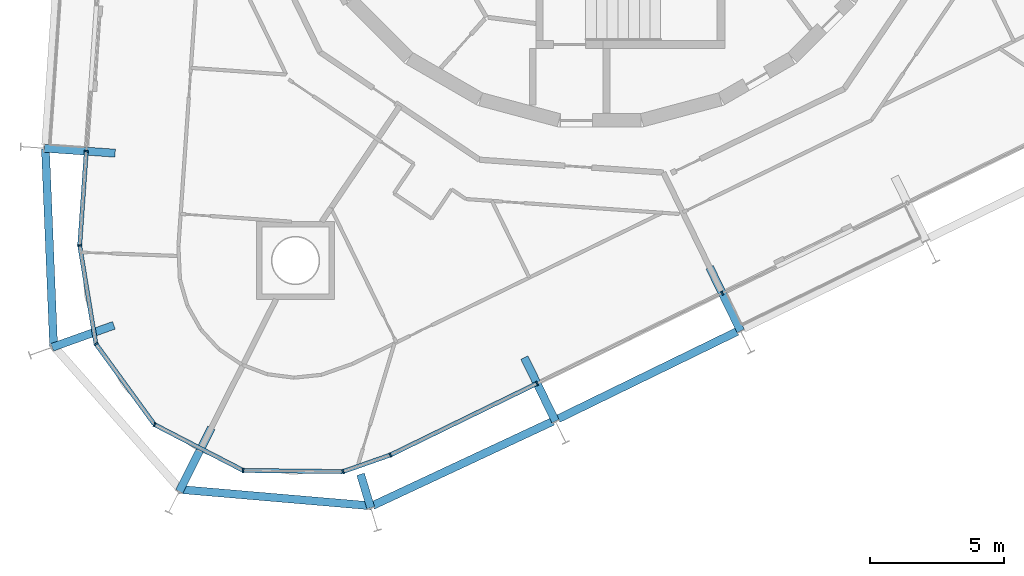
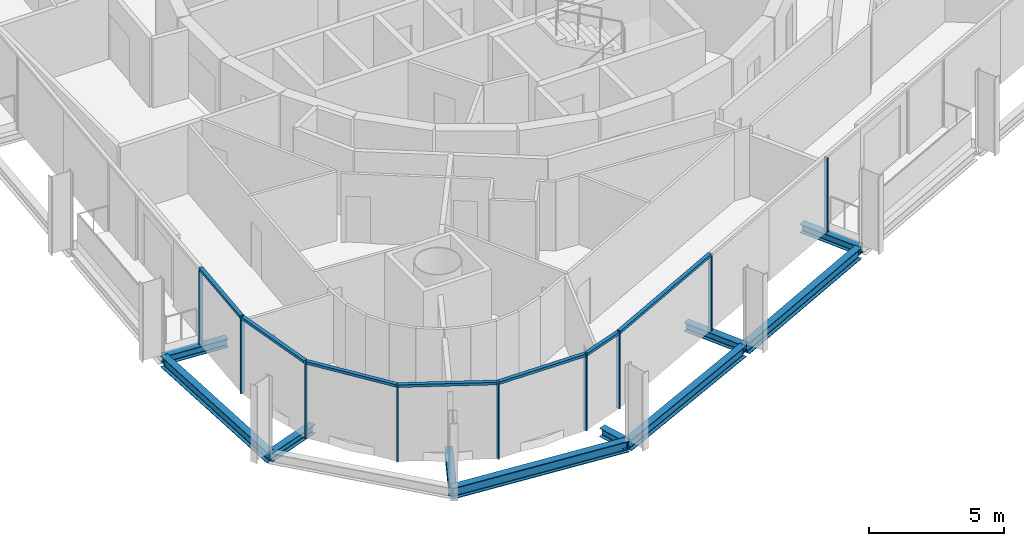
# One storey, part 2 of 18: 16 members, 10 beams, 2 elements without a shape of their own.
"""IFC4 building model written with IfcOpenShell, lengths in metres."""

from ifc_helpers import new_model, si_unit, direction, frame, origin, origin_2d, place, context, subcontext, project, spatial, rectangle, i_section, extrude, material, layer, layer_set, material_profile, profile_set, type_object, element, aggregate, save


model = new_model("IFC4")

# Units and contexts
model_context = context("Model", 3, precision=1e-05, world=origin(), true_north=direction((0.0, 1.0)))
body_context = subcontext(model_context, "Body", "Model", "MODEL_VIEW")
ifc_project = project(units=[si_unit("LENGTHUNIT", "METRE"), si_unit("AREAUNIT", "SQUARE_METRE"), si_unit("VOLUMEUNIT", "CUBIC_METRE"), si_unit("PLANEANGLEUNIT", "RADIAN"), si_unit("MASSUNIT", "GRAM", prefix="KILO")], contexts=[model_context])

# Site, building, storey
site_placement = place(None, origin())
site = spatial("IfcSite", under=ifc_project, at=site_placement, CompositionType="ELEMENT")
building_placement = place(site_placement, origin())
building = spatial("IfcBuilding", under=site, at=building_placement, Name="Spindle Arch Residences", CompositionType="ELEMENT")
storey_placement = place(building_placement, frame((0.0, 0.0, 205.89990234375)))
storey = spatial("IfcBuildingStorey", under=building, at=storey_placement, Name="L52", CompositionType="ELEMENT", Elevation=205.89990234375)

# Curtain wall, members
ifc_material_1 = material(Name="Aluminium bronze unitised frame with tinted glass", Category="aluminium")
ifc_layer_1 = layer(ifc_material_1, 0.159912109375)
ifc_layer_set_1 = layer_set([ifc_layer_1], Name="CW-D corner wall on the fillet arcs")
curtain_wall_type_1 = type_object("IfcCurtainWallType", Name="CW-D corner wall on the fillet arcs", PredefinedType="NOTDEFINED", material=ifc_layer_set_1)
curtain_wall_1_placement = place(storey_placement, origin())
curtain_wall_1 = element("IfcCurtainWall", 1, at=curtain_wall_1_placement, inside=storey, type_object=curtain_wall_type_1, Name="CW-D L52 run 5", PredefinedType="NOTDEFINED")
ifc_material_2 = material(Name="Aluminium bronze anodised mullion", Category="aluminium")
ifc_material_profile_1 = material_profile(ifc_material_2, rectangle(XDim=0.159912109375, YDim=0.06005859375, at=origin_2d()), Name="MU 60x160")
ifc_profile_set_1 = profile_set([ifc_material_profile_1], Name="Aluminium bronze anodised mullion")
member_type_1 = type_object("IfcMemberType", Name="Bronze mullion 60x160", PredefinedType="MULLION", material=ifc_profile_set_1)
member_1_placement = place(storey_placement, frame((-19.2001953125, -12.796875, -0.3798828125), z_axis=(0.0, 0.0, 1.0), x_axis=(0.99756405026, -0.069756473744, 0.0)))
member_1 = element("IfcMember", 2, at=member_1_placement, type_object=member_type_1, Name="CW-D mullion 00", PredefinedType="MULLION", context=body_context, shape_type="SweptSolid", body=[
    extrude(rectangle(XDim=0.159912109375, YDim=0.06005859375, at=origin_2d()), origin(), (0.0, 0.0, 1.0), 3.3798828125),
])
member_2_placement = place(storey_placement, frame((-19.4462890625, -16.31689453125, -0.3798828125), z_axis=(0.0, 0.0, 1.0), x_axis=(0.986761531666, 0.162177925821, 0.0)))
member_2 = element("IfcMember", 3, at=member_2_placement, type_object=member_type_1, Name="CW-D mullion 01", PredefinedType="MULLION", context=body_context, shape_type="SweptSolid", body=[
    extrude(rectangle(XDim=0.159912109375, YDim=0.06005859375, at=origin_2d()), origin(), (0.0, 0.0, 1.0), 3.3798828125),
])
member_3_placement = place(storey_placement, frame((-18.842041015625, -19.994140625, -0.3798828125), z_axis=(0.0, 0.0, 1.0), x_axis=(0.809016992641, 0.587785254679, 0.0)))
member_3 = element("IfcMember", 4, at=member_3_placement, type_object=member_type_1, Name="CW-D mullion 02", PredefinedType="MULLION", context=body_context, shape_type="SweptSolid", body=[
    extrude(rectangle(XDim=0.159912109375, YDim=0.06005859375, at=origin_2d()), origin(), (0.0, 0.0, 1.0), 3.3798828125),
])
member_4_placement = place(storey_placement, frame((-16.6513671875, -23.00927734375, -0.3798828125), z_axis=(0.0, 0.0, 1.0), x_axis=(0.459166453025, 0.88835025098, 0.0)))
member_4 = element("IfcMember", 5, at=member_4_placement, type_object=member_type_1, Name="CW-D mullion 03", PredefinedType="MULLION", context=body_context, shape_type="SweptSolid", body=[
    extrude(rectangle(XDim=0.159912109375, YDim=0.06005859375, at=origin_2d()), origin(), (0.0, 0.0, 1.0), 3.3798828125),
])
member_5_placement = place(storey_placement, frame((-13.3408203125, -24.720458984375, -0.3798828125), z_axis=(0.0, 0.0, 1.0), x_axis=(0.011635263346, 0.999932308032, 0.0)))
member_5 = element("IfcMember", 6, at=member_5_placement, type_object=member_type_1, Name="CW-D mullion 04", PredefinedType="MULLION", context=body_context, shape_type="SweptSolid", body=[
    extrude(rectangle(XDim=0.159912109375, YDim=0.06005859375, at=origin_2d()), origin(), (0.0, 0.0, 1.0), 3.3798828125),
])
member_6_placement = place(storey_placement, frame((-9.6142578125, -24.763916015625, -0.3798828125), z_axis=(0.0, 0.0, 1.0), x_axis=(-0.33106342198, 0.943608504957, 0.0)))
member_6 = element("IfcMember", 7, at=member_6_placement, type_object=member_type_1, Name="CW-D mullion 05", PredefinedType="MULLION", context=body_context, shape_type="SweptSolid", body=[
    extrude(rectangle(XDim=0.159912109375, YDim=0.06005859375, at=origin_2d()), origin(), (0.0, 0.0, 1.0), 3.3798828125),
])
member_7_placement = place(storey_placement, frame((-7.843994140625, -24.142822265625, -0.3798828125), z_axis=(0.0, 0.0, 1.0), x_axis=(-0.438371146789, 0.898794046299, 0.0)))
member_7 = element("IfcMember", 8, at=member_7_placement, type_object=member_type_1, Name="CW-D mullion 06", PredefinedType="MULLION", context=body_context, shape_type="SweptSolid", body=[
    extrude(rectangle(XDim=0.159912109375, YDim=0.06005859375, at=origin_2d()), origin(), (0.0, 0.0, 1.0), 3.3798828125),
])

ifc_material_3 = material(Name="Aluminium bronze unitised frame with tinted glass", Category="aluminium")
ifc_layer_2 = layer(ifc_material_3, 0.159912109375)
ifc_layer_set_2 = layer_set([ifc_layer_2], Name="CW-C typical residential unitised wall")
curtain_wall_type_2 = type_object("IfcCurtainWallType", Name="CW-C typical residential unitised wall", PredefinedType="NOTDEFINED", material=ifc_layer_set_2)
curtain_wall_2_placement = place(storey_placement, origin())
curtain_wall_2 = element("IfcCurtainWall", 9, at=curtain_wall_2_placement, inside=storey, type_object=curtain_wall_type_2, Name="CW-C L52 run 6", PredefinedType="NOTDEFINED")
member_8_placement = place(storey_placement, frame((-2.36767578125, -21.4716796875, -0.3798828125), z_axis=(0.0, 0.0, 1.0), x_axis=(-0.438371146789, 0.898794046299, 0.0)))
member_8 = element("IfcMember", 10, at=member_8_placement, type_object=member_type_1, Name="CW-C mullion 20", PredefinedType="MULLION", context=body_context, shape_type="SweptSolid", body=[
    extrude(rectangle(XDim=0.159912109375, YDim=0.06005859375, at=origin_2d()), origin(), (0.0, 0.0, 1.0), 3.3798828125),
])
member_9_placement = place(storey_placement, frame((4.54736328125, -18.09912109375, -0.3798828125), z_axis=(0.0, 0.0, 1.0), x_axis=(-0.438371146789, 0.898794046299, 0.0)))
member_9 = element("IfcMember", 11, at=member_9_placement, type_object=member_type_1, Name="CW-C mullion 21", PredefinedType="MULLION", context=body_context, shape_type="SweptSolid", body=[
    extrude(rectangle(XDim=0.159912109375, YDim=0.06005859375, at=origin_2d()), origin(), (0.0, 0.0, 1.0), 3.3798828125),
])
aggregate(curtain_wall_2, [member_8, member_9])

# Member
ifc_material_4 = material(Name="Aluminium bronze anodised transom", Category="aluminium")
ifc_material_profile_2 = material_profile(ifc_material_4, rectangle(XDim=0.159912109375, YDim=0.1201171875, at=origin_2d()), Name="TR 120x160")
ifc_profile_set_2 = profile_set([ifc_material_profile_2], Name="Aluminium bronze anodised transom")
member_type_2 = type_object("IfcMemberType", Name="Bronze transom 120x160", PredefinedType="USERDEFINED", material=ifc_profile_set_2)
member_10_placement = place(storey_placement, frame((-19.202392578125, -12.826904296875, 3.06005859375), z_axis=(-0.069756279092, -0.997564063871, 0.0), x_axis=(0.997564063871, -0.069756279092, 0.0)))
member_10 = element("IfcMember", 12, at=member_10_placement, type_object=member_type_2, Name="CW-D transom 00", ObjectType="TRANSOM", PredefinedType="USERDEFINED", context=body_context, shape_type="SweptSolid", body=[
    extrude(rectangle(XDim=0.159912109375, YDim=0.1201171875, at=origin_2d()), origin(), (0.0, 0.0, 1.0), 3.468505859375),
])

member_11_placement = place(storey_placement, frame((-19.44140625, -16.346435546875, 3.06005859375), z_axis=(0.162131110814, -0.986769224746, 0.0), x_axis=(0.986769224746, 0.162131110814, 0.0)))
member_11 = element("IfcMember", 13, at=member_11_placement, type_object=member_type_2, Name="CW-D transom 01", ObjectType="TRANSOM", PredefinedType="USERDEFINED", context=body_context, shape_type="SweptSolid", body=[
    extrude(rectangle(XDim=0.159912109375, YDim=0.1201171875, at=origin_2d()), origin(), (0.0, 0.0, 1.0), 3.666748046875),
])

member_12_placement = place(storey_placement, frame((-18.82421875, -20.0185546875, 3.06005859375), z_axis=(0.587807403161, -0.809000900363, 0.0), x_axis=(0.809000900363, 0.587807403161, 0.0)))
member_12 = element("IfcMember", 14, at=member_12_placement, type_object=member_type_2, Name="CW-D transom 02", ObjectType="TRANSOM", PredefinedType="USERDEFINED", context=body_context, shape_type="SweptSolid", body=[
    extrude(rectangle(XDim=0.159912109375, YDim=0.1201171875, at=origin_2d()), origin(), (0.0, 0.0, 1.0), 3.666748046875),
])

member_13_placement = place(storey_placement, frame((-16.624755859375, -23.02294921875, 3.06005859375), z_axis=(0.888327233371, -0.459210982503, 0.0), x_axis=(0.459210982503, 0.888327233371, 0.0)))
member_13 = element("IfcMember", 15, at=member_13_placement, type_object=member_type_2, Name="CW-D transom 03", ObjectType="TRANSOM", PredefinedType="USERDEFINED", context=body_context, shape_type="SweptSolid", body=[
    extrude(rectangle(XDim=0.159912109375, YDim=0.1201171875, at=origin_2d()), origin(), (0.0, 0.0, 1.0), 3.666748046875),
])

member_14_placement = place(storey_placement, frame((-13.310791015625, -24.720703125, 3.06005859375), z_axis=(0.999932114398, -0.011651892397, 0.0), x_axis=(0.011651892397, 0.999932114398, 0.0)))
member_14 = element("IfcMember", 16, at=member_14_placement, type_object=member_type_2, Name="CW-D transom 04", ObjectType="TRANSOM", PredefinedType="USERDEFINED", context=body_context, shape_type="SweptSolid", body=[
    extrude(rectangle(XDim=0.159912109375, YDim=0.1201171875, at=origin_2d()), origin(), (0.0, 0.0, 1.0), 3.666748046875),
])

member_15_placement = place(storey_placement, frame((-9.5859375, -24.75390625, 3.06005859375), z_axis=(0.943591876762, 0.331110812432, 0.0), x_axis=(-0.331110812432, 0.943591876762, 0.0)))
member_15 = element("IfcMember", 17, at=member_15_placement, type_object=member_type_2, Name="CW-D transom 05", ObjectType="TRANSOM", PredefinedType="USERDEFINED", context=body_context, shape_type="SweptSolid", body=[
    extrude(rectangle(XDim=0.159912109375, YDim=0.1201171875, at=origin_2d()), origin(), (0.0, 0.0, 1.0), 1.816162109375),
])

member_16_placement = place(storey_placement, frame((-7.81689453125, -24.129638671875, 3.06005859375), z_axis=(0.898786724344, 0.438386158704, 0.0), x_axis=(-0.438386158704, 0.898786724344, 0.0)))
member_16 = element("IfcMember", 18, at=member_16_placement, type_object=member_type_2, Name="CW-D transom 06", ObjectType="TRANSOM", PredefinedType="USERDEFINED", context=body_context, shape_type="SweptSolid", body=[
    extrude(rectangle(XDim=0.159912109375, YDim=0.1201171875, at=origin_2d()), origin(), (0.0, 0.0, 1.0), 6.032958984375),
])

aggregate(curtain_wall_1, [member_1, member_10, member_2, member_11, member_3, member_12, member_4, member_13, member_5, member_14, member_6, member_15, member_7, member_16])

# Beams
ifc_material_5 = material(Name="Steel S460ML, intumescent coating R 120", Category="steel")
ifc_material_profile_3 = material_profile(ifc_material_5, i_section(OverallWidth=0.300048828125, OverallDepth=0.5, WebThickness=0.014404296875, FlangeThickness=0.028076171875, FilletRadius=0.027099609375, at=origin_2d()), Name="HEB 500")
ifc_profile_set_3 = profile_set([ifc_material_profile_3], Name="Steel S460ML, intumescent coating R 120")
beam_type_1 = type_object("IfcBeamType", Name="Exoskeleton edge beam HEB 500", PredefinedType="BEAM", material=ifc_profile_set_3)
beam_1_placement = place(storey_placement, frame((-20.724609375, -12.719482421875, -0.6298828125), z_axis=(0.041509189308, -0.999138122185, 0.0), x_axis=(0.999138122185, 0.041509189308, 0.0)))
element("IfcBeam", 19, at=beam_1_placement, inside=storey, type_object=beam_type_1, Name="Exoskeleton edge beam 17", PredefinedType="BEAM", context=body_context, shape_type="SweptSolid", body=[
    extrude(i_section(OverallWidth=0.300048828125, OverallDepth=0.5, WebThickness=0.014404296875, FlangeThickness=0.028076171875, FilletRadius=0.027099609375, at=origin_2d()), origin(), (0.0, 0.0, 1.0), 7.36376953125),
])
beam_2_placement = place(storey_placement, frame((-15.7568359375, -25.42431640625, -0.6298828125), z_axis=(0.996340259924, -0.085475648313, 0.0), x_axis=(0.085475648313, 0.996340259924, 0.0)))
element("IfcBeam", 20, at=beam_2_placement, inside=storey, type_object=beam_type_1, Name="Exoskeleton edge beam 19", PredefinedType="BEAM", context=body_context, shape_type="SweptSolid", body=[
    extrude(i_section(OverallWidth=0.300048828125, OverallDepth=0.5, WebThickness=0.014404296875, FlangeThickness=0.028076171875, FilletRadius=0.027099609375, at=origin_2d()), origin(), (0.0, 0.0, 1.0), 7.249267578125),
])
beam_3_placement = place(storey_placement, frame((-8.508056640625, -26.0322265625, -0.6298828125), z_axis=(0.905883990605, 0.423525908966, 0.0), x_axis=(-0.423525908966, 0.905883990605, 0.0)))
element("IfcBeam", 21, at=beam_3_placement, inside=storey, type_object=beam_type_1, Name="Exoskeleton edge beam 20", PredefinedType="BEAM", context=body_context, shape_type="SweptSolid", body=[
    extrude(i_section(OverallWidth=0.300048828125, OverallDepth=0.5, WebThickness=0.014404296875, FlangeThickness=0.028076171875, FilletRadius=0.027099609375, at=origin_2d()), origin(), (0.0, 0.0, 1.0), 7.42822265625),
])
beam_4_placement = place(storey_placement, frame((-1.580078125, -22.789794921875, -0.6298828125), z_axis=(0.898804110297, 0.438350511935, 0.0), x_axis=(-0.438350511935, 0.898804110297, 0.0)))
element("IfcBeam", 22, at=beam_4_placement, inside=storey, type_object=beam_type_1, Name="Exoskeleton edge beam 21", PredefinedType="BEAM", context=body_context, shape_type="SweptSolid", body=[
    extrude(i_section(OverallWidth=0.300048828125, OverallDepth=0.5, WebThickness=0.014404296875, FlangeThickness=0.028076171875, FilletRadius=0.027099609375, at=origin_2d()), origin(), (0.0, 0.0, 1.0), 7.43359375),
])
ifc_material_6 = material(Name="Steel S460ML, intumescent coating R 120", Category="steel")
ifc_material_profile_4 = material_profile(ifc_material_6, i_section(OverallWidth=0.300048828125, OverallDepth=0.389892578125, WebThickness=0.010986328125, FlangeThickness=0.01904296875, FilletRadius=0.027099609375, at=origin_2d()), Name="HEA 400")
ifc_profile_set_4 = profile_set([ifc_material_profile_4], Name="Steel S460ML, intumescent coating R 120")
beam_type_2 = type_object("IfcBeamType", Name="Floor outrigger HEA 400", PredefinedType="BEAM", material=ifc_profile_set_4)
beam_5_placement = place(storey_placement, frame((-20.766357421875, -12.6875, -0.574951171875), z_axis=(0.997565124092, -0.069741115528, 0.0), x_axis=(0.069741115528, 0.997565124092, 0.0)))
element("IfcBeam", 23, at=beam_5_placement, inside=storey, type_object=beam_type_2, Name="Floor outrigger 17", PredefinedType="BEAM", context=body_context, shape_type="SweptSolid", body=[
    extrude(i_section(OverallWidth=0.300048828125, OverallDepth=0.389892578125, WebThickness=0.010986328125, FlangeThickness=0.01904296875, FilletRadius=0.027099609375, at=origin_2d()), origin(), (0.0, 0.0, 1.0), 2.64990234375),
])
beam_6_placement = place(storey_placement, frame((-20.475341796875, -20.1220703125, -0.574951171875), z_axis=(0.941908704104, 0.335869011868, 0.0), x_axis=(-0.335869011868, 0.941908704104, 0.0)))
element("IfcBeam", 24, at=beam_6_placement, inside=storey, type_object=beam_type_2, Name="Floor outrigger 18", PredefinedType="BEAM", context=body_context, shape_type="SweptSolid", body=[
    extrude(i_section(OverallWidth=0.300048828125, OverallDepth=0.389892578125, WebThickness=0.010986328125, FlangeThickness=0.01904296875, FilletRadius=0.027099609375, at=origin_2d()), origin(), (0.0, 0.0, 1.0), 2.448974609375),
])
beam_7_placement = place(storey_placement, frame((-15.725830078125, -25.49951171875, -0.574951171875), z_axis=(0.449717951116, 0.893170624486, 0.0), x_axis=(-0.893170624486, 0.449717951116, 0.0)))
element("IfcBeam", 25, at=beam_7_placement, inside=storey, type_object=beam_type_2, Name="Floor outrigger 19", PredefinedType="BEAM", context=body_context, shape_type="SweptSolid", body=[
    extrude(i_section(OverallWidth=0.300048828125, OverallDepth=0.389892578125, WebThickness=0.010986328125, FlangeThickness=0.01904296875, FilletRadius=0.027099609375, at=origin_2d()), origin(), (0.0, 0.0, 1.0), 2.649658203125),
])
beam_8_placement = place(storey_placement, frame((-8.57763671875, -26.11279296875, -0.574951171875), z_axis=(-0.291027903823, 0.956714565164, 0.0), x_axis=(-0.956714565164, -0.291027903823, 0.0)))
element("IfcBeam", 26, at=beam_8_placement, inside=storey, type_object=beam_type_2, Name="Floor outrigger 20", PredefinedType="BEAM", context=body_context, shape_type="SweptSolid", body=[
    extrude(i_section(OverallWidth=0.300048828125, OverallDepth=0.389892578125, WebThickness=0.010986328125, FlangeThickness=0.01904296875, FilletRadius=0.027099609375, at=origin_2d()), origin(), (0.0, 0.0, 1.0), 1.307861328125),
])
for number, where, z_axis, x_axis, name in (
    (27, (-1.679443359375, -22.8828125, -0.574951171875), (-0.438347395329, 0.898805630272, 0.0), (-0.898805630272, -0.438347395329, 0.0), "Floor outrigger 21"),
    (28, (5.235595703125, -19.510009765625, -0.574951171875), (-0.438383695602, 0.898787925725, 0.0), (-0.898787925725, -0.438383695602, 0.0), "Floor outrigger 22"),
):
    element("IfcBeam", number, at=place(storey_placement, frame(where, z_axis=z_axis, x_axis=x_axis)), inside=storey, type_object=beam_type_2, Name=name, PredefinedType="BEAM", context=body_context, shape_type="SweptSolid", body=[
        extrude(i_section(OverallWidth=0.300048828125, OverallDepth=0.389892578125, WebThickness=0.010986328125, FlangeThickness=0.01904296875, FilletRadius=0.027099609375, at=origin_2d()), origin(), (0.0, 0.0, 1.0), 2.64990234375),
    ])

save(model, "model.ifc")
